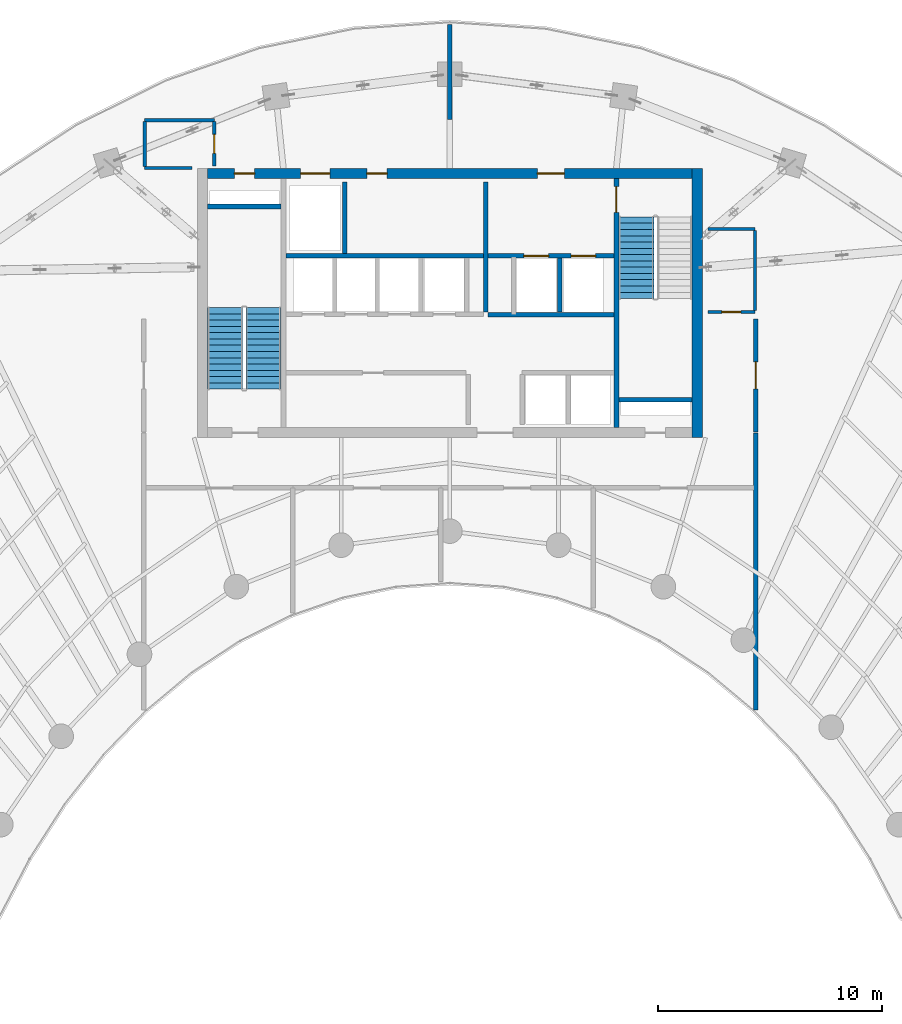
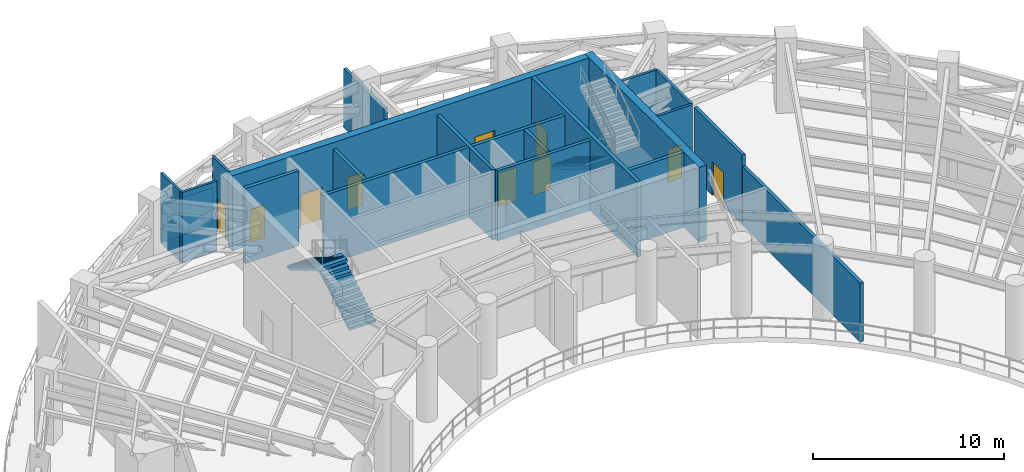
# One storey, part 12 of 24: 21 walls, 10 doors, 3 stair flights, 10 openings, 2 elements without a shape of their own.
"""IFC4 building model written with IfcOpenShell, lengths in metres."""

from ifc_helpers import new_model, si_unit, direction, frame, frame_2d, origin, place, context, subcontext, project, spatial, polyline, rectangle, outline, extrude, source, transform, mapped, material, layer, layer_set, type_object, type_shapes, element, fill, aggregate, save


model = new_model("IFC4")

# Units and contexts
model_context = context("Model", 3, precision=1e-05, world=origin(), true_north=direction((0.0, 1.0)))
body_context = subcontext(model_context, "Body", "Model", "MODEL_VIEW")
ifc_project = project(units=[si_unit("LENGTHUNIT", "METRE"), si_unit("AREAUNIT", "SQUARE_METRE"), si_unit("VOLUMEUNIT", "CUBIC_METRE"), si_unit("PLANEANGLEUNIT", "RADIAN"), si_unit("MASSUNIT", "GRAM", prefix="KILO")], contexts=[model_context])

# Site, building, storey
site_placement = place(None, origin())
site = spatial("IfcSite", under=ifc_project, at=site_placement, CompositionType="ELEMENT")
building_placement = place(site_placement, origin())
building = spatial("IfcBuilding", under=site, at=building_placement, Name="Breltana Convention Tower", CompositionType="ELEMENT")
storey_placement = place(building_placement, frame((0.0, 0.0, 189.60009765625)))
storey = spatial("IfcBuildingStorey", under=building, at=storey_placement, Name="L46", CompositionType="ELEMENT", Elevation=189.60009765625)

# Wall
ifc_material_1 = material(Name="Concrete C60/75", Category="concrete")
ifc_layer_1 = layer(ifc_material_1, 0.449951171875, Name="Concrete C60/75")
ifc_layer_set_1 = layer_set([ifc_layer_1], Name="Concrete C60/75")
wall_type_1 = type_object("IfcWallType", Name="SW-CORE-450", PredefinedType="SHEAR", material=ifc_layer_set_1)
shared_shape_1 = source(origin(), body_context, "Body", "SweptSolid", [
    extrude(rectangle(XDim=12.0, YDim=0.449951171875, at=frame_2d((6.0, 0.0))), origin(), (0.0, 0.0, 1.0), 4.7998046875),
])
type_shapes(wall_type_1, [shared_shape_1])
wall_1_placement = place(storey_placement, frame((59.02490234375, 60.199951171875, 0.0), z_axis=(0.0, 0.0, 1.0), x_axis=(0.0, 1.0, 0.0)))
element("IfcWall", 1, at=wall_1_placement, inside=storey, type_object=wall_type_1, Name="L46 East Core Shear Wall", PredefinedType="SHEAR", context=body_context, shape_type="MappedRepresentation", body=[
    mapped(shared_shape_1, transform((0.0, 0.0, 0.0), scale=1.0)),
])

# Wall, openings, doors
shared_shape_2 = source(origin(), body_context, "Body", "SweptSolid", [
    extrude(rectangle(XDim=21.60009765625, YDim=0.449951171875, at=frame_2d((10.800048828125, 0.0))), origin(), (0.0, 0.0, 1.0), 4.7998046875),
])
wall_2_placement = place(storey_placement, frame((37.199951171875, 71.97509765625, 0.0), z_axis=(0.0, 0.0, 1.0), x_axis=(1.0, 0.0, 0.0)))
wall_2 = element("IfcWall", 2, at=wall_2_placement, inside=storey, type_object=wall_type_1, Name="L46 North Core Shear Wall", PredefinedType="SHEAR", context=body_context, shape_type="MappedRepresentation", body=[
    mapped(shared_shape_2, transform((0.0, 0.0, 0.0), scale=1.0)),
])
opening_1_placement = place(wall_2_placement, frame((1.199951171875, 0.0, 0.0)))
opening_1 = element("IfcOpeningElement", 3, at=opening_1_placement, cuts=wall_2, Name="Opening D-18", PredefinedType="OPENING", context=body_context, shape_type="SweptSolid", body=[
    extrude(rectangle(XDim=0.89990234375, YDim=2.10009765625, at=frame_2d((0.449951171875, 1.050048828125))), frame((0.0, 0.23486328125, 0.0), z_axis=(0.0, -1.0, 0.0), x_axis=(1.0, 0.0, 0.0)), (0.0, 0.0, 1.0), 0.469970703125),
])
opening_2_placement = place(wall_2_placement, frame((14.699951171875, 0.0, 0.0)))
opening_2 = element("IfcOpeningElement", 4, at=opening_2_placement, cuts=wall_2, Name="Opening D-09", PredefinedType="OPENING", context=body_context, shape_type="SweptSolid", body=[
    extrude(rectangle(XDim=1.199951171875, YDim=2.14990234375, at=frame_2d((0.60009765625, 1.074951171875))), frame((0.0, 0.23486328125, 0.0), z_axis=(0.0, -1.0, 0.0), x_axis=(1.0, 0.0, 0.0)), (0.0, 0.0, 1.0), 0.469970703125),
])
opening_3_placement = place(wall_2_placement, frame((4.14990234375, 0.0, 0.0)))
opening_3 = element("IfcOpeningElement", 5, at=opening_3_placement, cuts=wall_2, Name="Opening LD-01", PredefinedType="OPENING", context=body_context, shape_type="SweptSolid", body=[
    extrude(rectangle(XDim=1.300048828125, YDim=2.14990234375, at=frame_2d((0.64990234375, 1.074951171875))), frame((0.0, 0.23486328125, 0.0), z_axis=(0.0, -1.0, 0.0), x_axis=(1.0, 0.0, 0.0)), (0.0, 0.0, 1.0), 0.469970703125),
])
opening_4_placement = place(wall_2_placement, frame((7.10009765625, 0.0, 0.0)))
opening_4 = element("IfcOpeningElement", 6, at=opening_4_placement, cuts=wall_2, Name="Opening D-18", PredefinedType="OPENING", context=body_context, shape_type="SweptSolid", body=[
    extrude(rectangle(XDim=0.89990234375, YDim=2.10009765625, at=frame_2d((0.449951171875, 1.050048828125))), frame((0.0, 0.23486328125, 0.0), z_axis=(0.0, -1.0, 0.0), x_axis=(1.0, 0.0, 0.0)), (0.0, 0.0, 1.0), 0.469970703125),
])
ifc_material_2 = material(Name="Steel Riser Fire Door", Category="steel")
door_type_1 = type_object("IfcDoorType", Name="DR-FD60-900", OperationType="NOTDEFINED", PredefinedType="DOOR", material=ifc_material_2)
shared_shape_3 = source(origin(), body_context, "Body", "SweptSolid", [
    extrude(rectangle(XDim=0.89990234375, YDim=2.10009765625, at=frame_2d((0.449951171875, 1.050048828125))), frame((0.0, 0.02490234375, 0.0), z_axis=(0.0, -1.0, 0.0), x_axis=(1.0, 0.0, 0.0)), (0.0, 0.0, 1.0), 0.050048828125),
])
type_shapes(door_type_1, [shared_shape_3])
door_1_placement = place(opening_1_placement, origin())
door_1 = element("IfcDoor", 7, at=door_1_placement, inside=storey, type_object=door_type_1, Name="L46 Core Riser Access Door D-L46-RS1", OperationType="SINGLE_SWING_LEFT", OverallHeight=2.10009765625, OverallWidth=0.89990234375, PredefinedType="DOOR", context=body_context, shape_type="MappedRepresentation", body=[
    mapped(shared_shape_3, transform((0.0, 0.0, 0.0), scale=1.0)),
])
fill(opening_1, door_1)
door_2_placement = place(opening_4_placement, origin())
door_2 = element("IfcDoor", 8, at=door_2_placement, inside=storey, type_object=door_type_1, Name="L46 interior door D-L46-CRA1", OperationType="SINGLE_SWING_RIGHT", OverallHeight=2.10009765625, OverallWidth=0.89990234375, PredefinedType="DOOR", context=body_context, shape_type="MappedRepresentation", body=[
    mapped(shared_shape_3, transform((0.0, 0.0, 0.0), scale=1.0)),
])
fill(opening_4, door_2)
ifc_material_3 = material(Name="Steel Fire Lobby Door", Category="steel")
door_type_2 = type_object("IfcDoorType", Name="DR-FD120-1200", OperationType="NOTDEFINED", PredefinedType="DOOR", material=ifc_material_3)
shared_shape_4 = source(origin(), body_context, "Body", "SweptSolid", [
    extrude(rectangle(XDim=1.199951171875, YDim=2.14990234375, at=frame_2d((0.60009765625, 1.074951171875))), frame((0.0, 0.02490234375, 0.0), z_axis=(0.0, -1.0, 0.0), x_axis=(1.0, 0.0, 0.0)), (0.0, 0.0, 1.0), 0.050048828125),
])
type_shapes(door_type_2, [shared_shape_4])
door_3_placement = place(opening_2_placement, origin())
door_3 = element("IfcDoor", 9, at=door_3_placement, inside=storey, type_object=door_type_2, Name="L46 interior door D-L46-FFL-N", OperationType="SINGLE_SWING_RIGHT", OverallHeight=2.14990234375, OverallWidth=1.199951171875, PredefinedType="DOOR", context=body_context, shape_type="MappedRepresentation", body=[
    mapped(shared_shape_4, transform((0.0, 0.0, 0.0), scale=1.0)),
])
fill(opening_2, door_3)
ifc_material_4 = material(Name="Stainless Steel Brushed", Category="steel")
door_type_3 = type_object("IfcDoorType", Name="DR-LD-SRV-1300", OperationType="DOUBLE_DOOR_SLIDING", PredefinedType="DOOR", material=ifc_material_4)
shared_shape_5 = source(origin(), body_context, "Body", "SweptSolid", [
    extrude(rectangle(XDim=1.300048828125, YDim=2.14990234375, at=frame_2d((0.64990234375, 1.074951171875))), frame((0.0, 0.02490234375, 0.0), z_axis=(0.0, -1.0, 0.0), x_axis=(1.0, 0.0, 0.0)), (0.0, 0.0, 1.0), 0.050048828125),
])
type_shapes(door_type_3, [shared_shape_5])
door_4_placement = place(opening_3_placement, origin())
door_4 = element("IfcDoor", 10, at=door_4_placement, inside=storey, type_object=door_type_3, Name="L46 Lift Landing Door D-L46-LD-SV1", OperationType="DOUBLE_DOOR_SLIDING", OverallHeight=2.14990234375, OverallWidth=1.300048828125, PredefinedType="DOOR", context=body_context, shape_type="MappedRepresentation", body=[
    mapped(shared_shape_5, transform((0.0, 0.0, 0.0), scale=1.0)),
])
fill(opening_3, door_4)

# Walls
ifc_material_5 = material(Name="Concrete C50/60", Category="concrete")
ifc_layer_2 = layer(ifc_material_5, 0.39990234375, Name="Concrete C50/60")
ifc_layer_set_2 = layer_set([ifc_layer_2], Name="Concrete C50/60")
wall_type_2 = type_object("IfcWallType", Name="SW-CORE-400", PredefinedType="SHEAR", material=ifc_layer_set_2)
shared_shape_6 = source(origin(), body_context, "Body", "SweptSolid", [
    extrude(rectangle(XDim=3.27001953125, YDim=0.219970703125, at=frame_2d((1.635009765625, 0.0))), origin(), (0.0, 0.0, 1.0), 4.7998046875),
])
for number, where, z_axis, x_axis, name in (
    (11, (37.199951171875, 70.510009765625, 0.0), (0.0, 0.0, 1.0), (1.0, 0.0, 0.0), "L46 ST-1 Stairwell North Bearing Wall"),
    (12, (55.530029296875, 61.889892578125, 0.0), (0.0, 0.0, 1.0), (1.0, 0.0, 0.0), "L46 ST-2 Stairwell South Bearing Wall"),
):
    element("IfcWall", number, at=place(storey_placement, frame(where, z_axis=z_axis, x_axis=x_axis)), inside=storey, type_object=wall_type_2, Name=name, PredefinedType="SHEAR", context=body_context, shape_type="MappedRepresentation", body=[
        mapped(shared_shape_6, transform((0.0, 0.0, 0.0), scale=1.0)),
    ])

# Wall, opening, door
shared_shape_7 = source(origin(), body_context, "Body", "SweptSolid", [
    extrude(rectangle(XDim=11.10009765625, YDim=0.219970703125, at=frame_2d((5.550048828125, 0.0))), origin(), (0.0, 0.0, 1.0), 4.7998046875),
])
wall_3_placement = place(storey_placement, frame((55.419921875, 60.64990234375, 0.0), z_axis=(0.0, 0.0, 1.0), x_axis=(0.0, 1.0, 0.0)))
wall_3 = element("IfcWall", 13, at=wall_3_placement, inside=storey, type_object=wall_type_2, Name="L46 Core East Stair Spine Wall", PredefinedType="SHEAR", context=body_context, shape_type="MappedRepresentation", body=[
    mapped(shared_shape_7, transform((0.0, 0.0, 0.0), scale=1.0)),
])
opening_5_placement = place(wall_3_placement, frame((9.594970703125, 0.0, 0.0)))
opening_5 = element("IfcOpeningElement", 14, at=opening_5_placement, cuts=wall_3, Name="Opening D-11", PredefinedType="OPENING", context=body_context, shape_type="SweptSolid", body=[
    extrude(rectangle(XDim=1.14990234375, YDim=2.14990234375, at=frame_2d((0.574951171875, 1.074951171875))), frame((0.0, 0.1201171875, 0.0), z_axis=(0.0, -1.0, 0.0), x_axis=(1.0, 0.0, 0.0)), (0.0, 0.0, 1.0), 0.239990234375),
])
ifc_material_6 = material(Name="Steel Stair Exit Door", Category="steel")
door_type_4 = type_object("IfcDoorType", Name="DR-FD120-1150", OperationType="NOTDEFINED", PredefinedType="DOOR", material=ifc_material_6)
shared_shape_8 = source(origin(), body_context, "Body", "SweptSolid", [
    extrude(rectangle(XDim=1.14990234375, YDim=2.14990234375, at=frame_2d((0.574951171875, 1.074951171875))), frame((0.0, 0.02490234375, 0.0), z_axis=(0.0, -1.0, 0.0), x_axis=(1.0, 0.0, 0.0)), (0.0, 0.0, 1.0), 0.050048828125),
])
type_shapes(door_type_4, [shared_shape_8])
door_5_placement = place(opening_5_placement, origin())
door_5 = element("IfcDoor", 15, at=door_5_placement, inside=storey, type_object=door_type_4, Name="L46 interior door D-L46-ST2", OperationType="SINGLE_SWING_LEFT", OverallHeight=2.14990234375, OverallWidth=1.14990234375, PredefinedType="DOOR", context=body_context, shape_type="MappedRepresentation", body=[
    mapped(shared_shape_8, transform((0.0, 0.0, 0.0), scale=1.0)),
])
fill(opening_5, door_5)

# Wall, openings, doors
ifc_material_7 = material(Name="Autoclaved Aerated Concrete Block", Category="concrete")
ifc_layer_3 = layer(ifc_material_7, 0.199951171875, Name="Autoclaved Aerated Concrete Block")
ifc_layer_set_3 = layer_set([ifc_layer_3], Name="Autoclaved Aerated Concrete Block")
wall_type_3 = type_object("IfcWallType", Name="WL-SHAFT-200", PredefinedType="SOLIDWALL", material=ifc_layer_set_3)
shared_shape_9 = source(origin(), body_context, "Body", "SweptSolid", [
    extrude(rectangle(XDim=5.6201171875, YDim=0.199951171875, at=frame_2d((2.81005859375, 0.0))), origin(), (0.0, 0.0, 1.0), 4.47998046875),
])
wall_4_placement = place(storey_placement, frame((49.699951171875, 68.300048828125, 0.0), z_axis=(0.0, 0.0, 1.0), x_axis=(1.0, 0.0, 0.0)))
wall_4 = element("IfcWall", 16, at=wall_4_placement, inside=storey, type_object=wall_type_3, Name="L46 interior partition W-L46-FFL-S", PredefinedType="SOLIDWALL", context=body_context, shape_type="MappedRepresentation", body=[
    mapped(shared_shape_9, transform((0.0, 0.0, 0.0), scale=1.0)),
])
opening_6_placement = place(wall_4_placement, frame((1.60009765625, 0.0, 0.0)))
opening_6 = element("IfcOpeningElement", 17, at=opening_6_placement, cuts=wall_4, Name="Opening LD-03", PredefinedType="OPENING", context=body_context, shape_type="SweptSolid", body=[
    extrude(rectangle(XDim=1.10009765625, YDim=2.14990234375, at=frame_2d((0.550048828125, 1.074951171875))), frame((0.0, 0.10986328125, 0.0), z_axis=(0.0, -1.0, 0.0), x_axis=(1.0, 0.0, 0.0)), (0.0, 0.0, 1.0), 0.219970703125),
])
opening_7_placement = place(wall_4_placement, frame((3.699951171875, 0.0, 0.0)))
opening_7 = element("IfcOpeningElement", 18, at=opening_7_placement, cuts=wall_4, Name="Opening LD-03", PredefinedType="OPENING", context=body_context, shape_type="SweptSolid", body=[
    extrude(rectangle(XDim=1.10009765625, YDim=2.14990234375, at=frame_2d((0.550048828125, 1.074951171875))), frame((0.0, 0.10986328125, 0.0), z_axis=(0.0, -1.0, 0.0), x_axis=(1.0, 0.0, 0.0)), (0.0, 0.0, 1.0), 0.219970703125),
])
door_type_5 = type_object("IfcDoorType", Name="DR-LD-FF-1100", OperationType="DOUBLE_DOOR_SLIDING", PredefinedType="DOOR", material=ifc_material_4)
shared_shape_10 = source(origin(), body_context, "Body", "SweptSolid", [
    extrude(rectangle(XDim=1.10009765625, YDim=2.14990234375, at=frame_2d((0.550048828125, 1.074951171875))), frame((0.0, 0.02490234375, 0.0), z_axis=(0.0, -1.0, 0.0), x_axis=(1.0, 0.0, 0.0)), (0.0, 0.0, 1.0), 0.050048828125),
])
type_shapes(door_type_5, [shared_shape_10])
door_6_placement = place(opening_6_placement, origin())
door_6 = element("IfcDoor", 19, at=door_6_placement, inside=storey, type_object=door_type_5, Name="L46 Lift Landing Door D-L46-LD-FL1", OperationType="DOUBLE_DOOR_SLIDING", OverallHeight=2.14990234375, OverallWidth=1.10009765625, PredefinedType="DOOR", context=body_context, shape_type="MappedRepresentation", body=[
    mapped(shared_shape_10, transform((0.0, 0.0, 0.0), scale=1.0)),
])
fill(opening_6, door_6)
door_7_placement = place(opening_7_placement, origin())
door_7 = element("IfcDoor", 20, at=door_7_placement, inside=storey, type_object=door_type_5, Name="L46 Lift Landing Door D-L46-LD-FL2", OperationType="DOUBLE_DOOR_SLIDING", OverallHeight=2.14990234375, OverallWidth=1.10009765625, PredefinedType="DOOR", context=body_context, shape_type="MappedRepresentation", body=[
    mapped(shared_shape_10, transform((0.0, 0.0, 0.0), scale=1.0)),
])
fill(opening_7, door_7)

# Walls
wall_5_placement = place(storey_placement, frame((49.699951171875, 65.679931640625, 0.0), z_axis=(0.0, 0.0, 1.0), x_axis=(1.0, 0.0, 0.0)))
element("IfcWall", 21, at=wall_5_placement, inside=storey, type_object=wall_type_3, Name="L46 interior partition W-L46-FL-S", PredefinedType="SOLIDWALL", context=body_context, shape_type="MappedRepresentation", body=[
    mapped(shared_shape_9, transform((0.0, 0.0, 0.0), scale=1.0)),
])
shared_shape_11 = source(origin(), body_context, "Body", "SweptSolid", [
    extrude(rectangle(XDim=5.800048828125, YDim=0.199951171875, at=frame_2d((2.89990234375, 0.0))), origin(), (0.0, 0.0, 1.0), 4.47998046875),
])
wall_6_placement = place(storey_placement, frame((49.60009765625, 65.800048828125, 0.0), z_axis=(0.0, 0.0, 1.0), x_axis=(0.0, 1.0, 0.0)))
element("IfcWall", 22, at=wall_6_placement, inside=storey, type_object=wall_type_3, Name="L46 interior partition W-L46-FFL-W", PredefinedType="SOLIDWALL", context=body_context, shape_type="MappedRepresentation", body=[
    mapped(shared_shape_11, transform((0.0, 0.0, 0.0), scale=1.0)),
])
shared_shape_12 = source(origin(), body_context, "Body", "SweptSolid", [
    extrude(rectangle(XDim=2.39990234375, YDim=0.199951171875, at=frame_2d((1.199951171875, 0.0))), origin(), (0.0, 0.0, 1.0), 4.47998046875),
])
wall_7_placement = place(storey_placement, frame((52.89990234375, 65.800048828125, 0.0), z_axis=(0.0, 0.0, 1.0), x_axis=(0.0, 1.0, 0.0)))
element("IfcWall", 23, at=wall_7_placement, inside=storey, type_object=wall_type_3, Name="L46 interior partition W-L46-FL-DIV", PredefinedType="SOLIDWALL", context=body_context, shape_type="MappedRepresentation", body=[
    mapped(shared_shape_12, transform((0.0, 0.0, 0.0), scale=1.0)),
])
shared_shape_13 = source(origin(), body_context, "Body", "SweptSolid", [
    extrude(rectangle(XDim=3.2001953125, YDim=0.199951171875, at=frame_2d((1.60009765625, 0.0))), origin(), (0.0, 0.0, 1.0), 4.47998046875),
])
wall_8_placement = place(storey_placement, frame((43.320068359375, 68.39990234375, 0.0), z_axis=(0.0, 0.0, 1.0), x_axis=(0.0, 1.0, 0.0)))
element("IfcWall", 24, at=wall_8_placement, inside=storey, type_object=wall_type_3, Name="L46 interior partition W-L46-SV-E", PredefinedType="SOLIDWALL", context=body_context, shape_type="MappedRepresentation", body=[
    mapped(shared_shape_13, transform((0.0, 0.0, 0.0), scale=1.0)),
])
shared_shape_14 = source(origin(), body_context, "Body", "SweptSolid", [
    extrude(rectangle(XDim=8.800048828125, YDim=0.199951171875, at=frame_2d((4.39990234375, 0.0))), origin(), (0.0, 0.0, 1.0), 4.47998046875),
])
wall_9_placement = place(storey_placement, frame((40.699951171875, 68.300048828125, 0.0), z_axis=(0.0, 0.0, 1.0), x_axis=(1.0, 0.0, 0.0)))
element("IfcWall", 25, at=wall_9_placement, inside=storey, type_object=wall_type_3, Name="L46 interior partition W-L46-SV-S", PredefinedType="SOLIDWALL", context=body_context, shape_type="MappedRepresentation", body=[
    mapped(shared_shape_14, transform((0.0, 0.0, 0.0), scale=1.0)),
])
ifc_material_8 = material(Name="Gypsum Acoustic Drywall Partition")
ifc_layer_4 = layer(ifc_material_8, 0.14990234375, Name="Gypsum Acoustic Drywall Partition")
ifc_layer_set_4 = layer_set([ifc_layer_4], Name="Gypsum Acoustic Drywall Partition")
wall_type_4 = type_object("IfcWallType", Name="WL-PART-150", PredefinedType="PARTITIONING", material=ifc_layer_set_4)
shared_shape_15 = source(origin(), body_context, "Body", "SweptSolid", [
    extrude(rectangle(XDim=2.10009765625, YDim=0.14990234375, at=frame_2d((1.050048828125, 0.0))), origin(), (0.0, 0.0, 1.0), 4.47998046875),
])
wall_10_placement = place(storey_placement, frame((34.39990234375, 72.219970703125, 0.0), z_axis=(0.0, 0.0, 1.0), x_axis=(1.0, 0.0, 0.0)))
element("IfcWall", 26, at=wall_10_placement, inside=storey, type_object=wall_type_4, Name="L46 interior partition W-L46-CRNE-S", PredefinedType="PARTITIONING", context=body_context, shape_type="MappedRepresentation", body=[
    mapped(shared_shape_15, transform((0.0, 0.0, 0.0), scale=1.0)),
])

# Wall, opening, door
wall_11_placement = place(storey_placement, frame((59.5, 65.800048828125, 0.0), z_axis=(0.0, 0.0, 1.0), x_axis=(1.0, 0.0, 0.0)))
wall_11 = element("IfcWall", 27, at=wall_11_placement, inside=storey, type_object=wall_type_4, Name="L46 interior partition W-L46-CRSE-S", PredefinedType="PARTITIONING", context=body_context, shape_type="MappedRepresentation", body=[
    mapped(shared_shape_15, transform((0.0, 0.0, 0.0), scale=1.0)),
])
opening_8_placement = place(wall_11_placement, frame((0.625, 0.0, 0.0)))
opening_8 = element("IfcOpeningElement", 28, at=opening_8_placement, cuts=wall_11, Name="Opening D-20", PredefinedType="OPENING", context=body_context, shape_type="SweptSolid", body=[
    extrude(rectangle(XDim=0.85009765625, YDim=2.10009765625, at=frame_2d((0.425048828125, 1.050048828125))), frame((0.0, 0.0849609375, 0.0), z_axis=(0.0, -1.0, 0.0), x_axis=(1.0, 0.0, 0.0)), (0.0, 0.0, 1.0), 0.169921875),
])
ifc_material_9 = material(Name="Steel Closet Fire Door", Category="steel")
door_type_6 = type_object("IfcDoorType", Name="DR-FD60-850", OperationType="NOTDEFINED", PredefinedType="DOOR", material=ifc_material_9)
shared_shape_16 = source(origin(), body_context, "Body", "SweptSolid", [
    extrude(rectangle(XDim=0.85009765625, YDim=2.10009765625, at=frame_2d((0.425048828125, 1.050048828125))), frame((0.0, 0.02490234375, 0.0), z_axis=(0.0, -1.0, 0.0), x_axis=(1.0, 0.0, 0.0)), (0.0, 0.0, 1.0), 0.050048828125),
])
type_shapes(door_type_6, [shared_shape_16])
door_8_placement = place(opening_8_placement, origin())
door_8 = element("IfcDoor", 29, at=door_8_placement, inside=storey, type_object=door_type_6, Name="L46 interior door D-L46-CRSE", OperationType="SINGLE_SWING_LEFT", OverallHeight=2.10009765625, OverallWidth=0.85009765625, PredefinedType="DOOR", context=body_context, shape_type="MappedRepresentation", body=[
    mapped(shared_shape_16, transform((0.0, 0.0, 0.0), scale=1.0)),
])
fill(opening_8, door_8)

# Walls
wall_12_placement = place(storey_placement, frame((59.5, 69.5, 0.0), z_axis=(0.0, 0.0, 1.0), x_axis=(1.0, 0.0, 0.0)))
element("IfcWall", 30, at=wall_12_placement, inside=storey, type_object=wall_type_4, Name="L46 interior partition W-L46-CRSE-N", PredefinedType="PARTITIONING", context=body_context, shape_type="MappedRepresentation", body=[
    mapped(shared_shape_15, transform((0.0, 0.0, 0.0), scale=1.0)),
])
shared_shape_17 = source(origin(), body_context, "Body", "SweptSolid", [
    extrude(rectangle(XDim=3.10009765625, YDim=0.14990234375, at=frame_2d((1.550048828125, 0.0))), origin(), (0.0, 0.0, 1.0), 2.42431640625),
])
wall_13_placement = place(storey_placement, frame((34.39990234375, 74.35009765625, 0.0), z_axis=(0.0, 0.0, 1.0), x_axis=(1.0, 0.0, 0.0)))
element("IfcWall", 31, at=wall_13_placement, inside=storey, type_object=wall_type_4, Name="L46 interior partition W-L46-CRNE-N", PredefinedType="PARTITIONING", context=body_context, shape_type="MappedRepresentation", body=[
    mapped(shared_shape_17, transform((0.0, 0.0, 0.0), scale=1.0)),
])
shared_shape_18 = source(origin(), body_context, "Body", "SweptSolid", [
    extrude(rectangle(XDim=1.994873046875, YDim=0.14990234375, at=frame_2d((0.99755859375, 0.0))), origin(), (0.0, 0.0, 1.0), 4.47998046875),
])
wall_14_placement = place(storey_placement, frame((34.39990234375, 72.28759765625, 0.0), z_axis=(0.0, 0.0, 1.0), x_axis=(0.0, 1.0, 0.0)))
element("IfcWall", 32, at=wall_14_placement, inside=storey, type_object=wall_type_4, Name="L46 interior partition W-L46-CRNE-W", PredefinedType="PARTITIONING", context=body_context, shape_type="MappedRepresentation", body=[
    mapped(shared_shape_18, transform((0.0, 0.0, 0.0), scale=1.0)),
])

# Wall, opening, door
shared_shape_19 = source(origin(), body_context, "Body", "SweptSolid", [
    extrude(rectangle(XDim=1.982421875, YDim=0.14990234375, at=frame_2d((0.9912109375, 0.0))), origin(), (0.0, 0.0, 1.0), 4.47998046875),
])
wall_15_placement = place(storey_placement, frame((37.5, 72.300048828125, 0.0), z_axis=(0.0, 0.0, 1.0), x_axis=(0.0, 1.0, 0.0)))
wall_15 = element("IfcWall", 33, at=wall_15_placement, inside=storey, type_object=wall_type_4, Name="L46 interior partition W-L46-CRNE-E", PredefinedType="PARTITIONING", context=body_context, shape_type="MappedRepresentation", body=[
    mapped(shared_shape_19, transform((0.0, 0.0, 0.0), scale=1.0)),
])
opening_9_placement = place(wall_15_placement, frame((0.56640625, 0.0, 0.0)))
opening_9 = element("IfcOpeningElement", 34, at=opening_9_placement, cuts=wall_15, Name="Opening D-20", PredefinedType="OPENING", context=body_context, shape_type="SweptSolid", body=[
    extrude(rectangle(XDim=0.85009765625, YDim=2.10009765625, at=frame_2d((0.425048828125, 1.050048828125))), frame((0.0, 0.0849609375, 0.0), z_axis=(0.0, -1.0, 0.0), x_axis=(1.0, 0.0, 0.0)), (0.0, 0.0, 1.0), 0.169921875),
])
door_9_placement = place(opening_9_placement, origin())
door_9 = element("IfcDoor", 35, at=door_9_placement, inside=storey, type_object=door_type_6, Name="L46 interior door D-L46-CRNE", OperationType="SINGLE_SWING_RIGHT", OverallHeight=2.10009765625, OverallWidth=0.85009765625, PredefinedType="DOOR", context=body_context, shape_type="MappedRepresentation", body=[
    mapped(shared_shape_16, transform((0.0, 0.0, 0.0), scale=1.0)),
])
fill(opening_9, door_9)

# Walls
shared_shape_20 = source(origin(), body_context, "Body", "SweptSolid", [
    extrude(rectangle(XDim=3.565185546875, YDim=0.14990234375, at=frame_2d((1.78271484375, 0.0))), origin(), (0.0, 0.0, 1.0), 4.47998046875),
])
wall_16_placement = place(storey_placement, frame((61.60009765625, 65.867431640625, 0.0), z_axis=(0.0, 0.0, 1.0), x_axis=(0.0, 1.0, 0.0)))
element("IfcWall", 36, at=wall_16_placement, inside=storey, type_object=wall_type_4, Name="L46 interior partition W-L46-CRSE-E", PredefinedType="PARTITIONING", context=body_context, shape_type="MappedRepresentation", body=[
    mapped(shared_shape_20, transform((0.0, 0.0, 0.0), scale=1.0)),
])
shared_shape_21 = source(origin(), body_context, "Body", "SweptSolid", [
    extrude(rectangle(XDim=4.24560546875, YDim=0.199951171875, at=frame_2d((2.122802734375, 0.0))), origin(), (0.0, 0.0, 1.0), 3.77197265625),
])
wall_17_placement = place(storey_placement, frame((48.0, 74.3798828125, 0.0), z_axis=(0.0, 0.0, 1.0), x_axis=(0.0, 1.0, 0.0)))
element("IfcWall", 37, at=wall_17_placement, inside=storey, type_object=wall_type_3, Name="L46 interior partition W-L46-TPLS-N48", PredefinedType="SOLIDWALL", context=body_context, shape_type="MappedRepresentation", body=[
    mapped(shared_shape_21, transform((0.0, 0.0, 0.0), scale=1.0)),
])

# Wall, opening, door
shared_shape_22 = source(origin(), body_context, "Body", "SweptSolid", [
    extrude(rectangle(XDim=5.050048828125, YDim=0.199951171875, at=frame_2d((2.52490234375, 0.0))), origin(), (0.0, 0.0, 1.0), 4.47998046875),
])
wall_18_placement = place(storey_placement, frame((61.639892578125, 60.449951171875, 0.0), z_axis=(0.0, 0.0, 1.0), x_axis=(0.0, 1.0, 0.0)))
wall_18 = element("IfcWall", 38, at=wall_18_placement, inside=storey, type_object=wall_type_3, Name="L46 interior partition W-L46-REFE-D", PredefinedType="SOLIDWALL", context=body_context, shape_type="MappedRepresentation", body=[
    mapped(shared_shape_22, transform((0.0, 0.0, 0.0), scale=1.0)),
])
opening_10_placement = place(wall_18_placement, frame((1.925048828125, 0.0, 0.0)))
opening_10 = element("IfcOpeningElement", 39, at=opening_10_placement, cuts=wall_18, Name="Opening D-09", PredefinedType="OPENING", context=body_context, shape_type="SweptSolid", body=[
    extrude(rectangle(XDim=1.199951171875, YDim=2.14990234375, at=frame_2d((0.60009765625, 1.074951171875))), frame((0.0, 0.10986328125, 0.0), z_axis=(0.0, -1.0, 0.0), x_axis=(1.0, 0.0, 0.0)), (0.0, 0.0, 1.0), 0.219970703125),
])
door_10_placement = place(opening_10_placement, origin())
door_10 = element("IfcDoor", 40, at=door_10_placement, inside=storey, type_object=door_type_2, Name="L46 interior door D-L46-REFE", OperationType="SINGLE_SWING_LEFT", OverallHeight=2.14990234375, OverallWidth=1.199951171875, PredefinedType="DOOR", context=body_context, shape_type="MappedRepresentation", body=[
    mapped(shared_shape_4, transform((0.0, 0.0, 0.0), scale=1.0)),
])
fill(opening_10, door_10)

# Wall
shared_shape_23 = source(origin(), body_context, "Body", "SweptSolid", [
    extrude(rectangle(XDim=12.335693359375, YDim=0.199951171875, at=frame_2d((6.16796875, 0.0))), origin(), (0.0, 0.0, 1.0), 3.77197265625),
])
wall_19_placement = place(storey_placement, frame((61.639892578125, 48.064208984375, 0.0), z_axis=(0.0, 0.0, 1.0), x_axis=(0.0, 1.0, 0.0)))
element("IfcWall", 41, at=wall_19_placement, inside=storey, type_object=wall_type_3, Name="L46 interior partition W-L46-REFE-S", PredefinedType="SOLIDWALL", context=body_context, shape_type="MappedRepresentation", body=[
    mapped(shared_shape_23, transform((0.0, 0.0, 0.0), scale=1.0)),
])

# Stair, stair flights
ifc_material_10 = material(Name="Concrete C40/50", Category="concrete")
stair_type = type_object("IfcStairType", Name="ST-DOG-1560-R171", PredefinedType="HALF_TURN_STAIR", material=ifc_material_10)
stair_1_placement = place(storey_placement, origin())
stair_1 = element("IfcStair", 42, at=stair_1_placement, inside=storey, type_object=stair_type, Name="L46 Protected Core Exit Stair ST-1", PredefinedType="HALF_TURN_STAIR")
stair_flight_type = type_object("IfcStairFlightType", Name="STF-DOG-1560-N14-R171", PredefinedType="STRAIGHT", material=ifc_material_10)
stair_flight_1_placement = place(storey_placement, frame((39.68994140625, 62.360107421875, 0.0), z_axis=(0.0, 0.0, 1.0), x_axis=(0.0, 1.0, 0.0)))
stair_flight_1 = element("IfcStairFlight", 43, at=stair_flight_1_placement, type_object=stair_flight_type, Name="ST-1 flight 1", NumberOfRisers=14, NumberOfTreads=13, PredefinedType="STRAIGHT", RiserHeight=0.171428571, TreadLength=0.28, context=body_context, shape_type="SweptSolid", body=[
    extrude(outline(polyline([(0.0, 0.0), (0.0, 0.17138671875), (0.280029296875, 0.17138671875), (0.280029296875, 0.3427734375), (0.56005859375, 0.3427734375), (0.56005859375, 0.514404296875), (0.840087890625, 0.514404296875), (0.840087890625, 0.685791015625), (1.1201171875, 0.685791015625), (1.1201171875, 0.857177734375), (1.39990234375, 0.857177734375), (1.39990234375, 1.028564453125), (1.679931640625, 1.028564453125), (1.679931640625, 1.199951171875), (1.9599609375, 1.199951171875), (1.9599609375, 1.371337890625), (2.239990234375, 1.371337890625), (2.239990234375, 1.54296875), (2.52001953125, 1.54296875), (2.52001953125, 1.71435546875), (2.800048828125, 1.71435546875), (2.800048828125, 1.8857421875), (3.080078125, 1.8857421875), (3.080078125, 2.05712890625), (3.360107421875, 2.05712890625), (3.360107421875, 2.228515625), (3.639892578125, 2.228515625), (3.639892578125, 2.39990234375), (3.639892578125, 2.052734375), (0.287109375, 0.0), (0.0, 0.0)])), frame((0.0, 0.780029296875, 0.0), z_axis=(0.0, -1.0, 0.0), x_axis=(1.0, 0.0, 0.0)), (0.0, 0.0, 1.0), 1.56005859375),
])
stair_flight_2_placement = place(storey_placement, frame((37.97998046875, 66.0, 2.39990234375), z_axis=(0.0, 0.0, 1.0), x_axis=(0.0, -1.0, 0.0)))
stair_flight_2 = element("IfcStairFlight", 44, at=stair_flight_2_placement, type_object=stair_flight_type, Name="ST-1 flight 2", NumberOfRisers=14, NumberOfTreads=13, PredefinedType="STRAIGHT", RiserHeight=0.171428571, TreadLength=0.28, context=body_context, shape_type="SweptSolid", body=[
    extrude(outline(polyline([(0.0, 0.0), (0.0, 0.17138671875), (0.280029296875, 0.17138671875), (0.280029296875, 0.3427734375), (0.56005859375, 0.3427734375), (0.56005859375, 0.514404296875), (0.840087890625, 0.514404296875), (0.840087890625, 0.685791015625), (1.1201171875, 0.685791015625), (1.1201171875, 0.857177734375), (1.39990234375, 0.857177734375), (1.39990234375, 1.028564453125), (1.679931640625, 1.028564453125), (1.679931640625, 1.199951171875), (1.9599609375, 1.199951171875), (1.9599609375, 1.371337890625), (2.239990234375, 1.371337890625), (2.239990234375, 1.54296875), (2.52001953125, 1.54296875), (2.52001953125, 1.71435546875), (2.800048828125, 1.71435546875), (2.800048828125, 1.8857421875), (3.080078125, 1.8857421875), (3.080078125, 2.05712890625), (3.360107421875, 2.05712890625), (3.360107421875, 2.228515625), (3.639892578125, 2.228515625), (3.639892578125, 2.39990234375), (3.639892578125, 2.052734375), (0.287109375, 0.0), (0.0, 0.0)])), frame((0.0, 0.780029296875, 0.0), z_axis=(0.0, -1.0, 0.0), x_axis=(1.0, 0.0, 0.0)), (0.0, 0.0, 1.0), 1.56005859375),
])
aggregate(stair_1, [stair_flight_1, stair_flight_2])

# Stair, stair flight
stair_2_placement = place(storey_placement, origin())
stair_2 = element("IfcStair", 45, at=stair_2_placement, inside=storey, type_object=stair_type, Name="L46 Protected Core Exit Stair ST-2", PredefinedType="HALF_TURN_STAIR")
stair_flight_3_placement = place(storey_placement, frame((56.31005859375, 70.0400390625, 0.0), z_axis=(0.0, 0.0, 1.0), x_axis=(0.0, -1.0, 0.0)))
stair_flight_3 = element("IfcStairFlight", 46, at=stair_flight_3_placement, type_object=stair_flight_type, Name="ST-2 flight 1", NumberOfRisers=14, NumberOfTreads=13, PredefinedType="STRAIGHT", RiserHeight=0.171428571, TreadLength=0.28, context=body_context, shape_type="SweptSolid", body=[
    extrude(outline(polyline([(0.0, 0.0), (0.0, 0.17138671875), (0.280029296875, 0.17138671875), (0.280029296875, 0.3427734375), (0.56005859375, 0.3427734375), (0.56005859375, 0.514404296875), (0.840087890625, 0.514404296875), (0.840087890625, 0.685791015625), (1.1201171875, 0.685791015625), (1.1201171875, 0.857177734375), (1.39990234375, 0.857177734375), (1.39990234375, 1.028564453125), (1.679931640625, 1.028564453125), (1.679931640625, 1.199951171875), (1.9599609375, 1.199951171875), (1.9599609375, 1.371337890625), (2.239990234375, 1.371337890625), (2.239990234375, 1.54296875), (2.52001953125, 1.54296875), (2.52001953125, 1.71435546875), (2.800048828125, 1.71435546875), (2.800048828125, 1.8857421875), (3.080078125, 1.8857421875), (3.080078125, 2.05712890625), (3.360107421875, 2.05712890625), (3.360107421875, 2.228515625), (3.639892578125, 2.228515625), (3.639892578125, 2.39990234375), (3.639892578125, 2.052734375), (0.287109375, 0.0), (0.0, 0.0)])), frame((0.0, 0.780029296875, 0.0), z_axis=(0.0, -1.0, 0.0), x_axis=(1.0, 0.0, 0.0)), (0.0, 0.0, 1.0), 1.56005859375),
])
aggregate(stair_2, [stair_flight_3])

save(model, "model.ifc")
